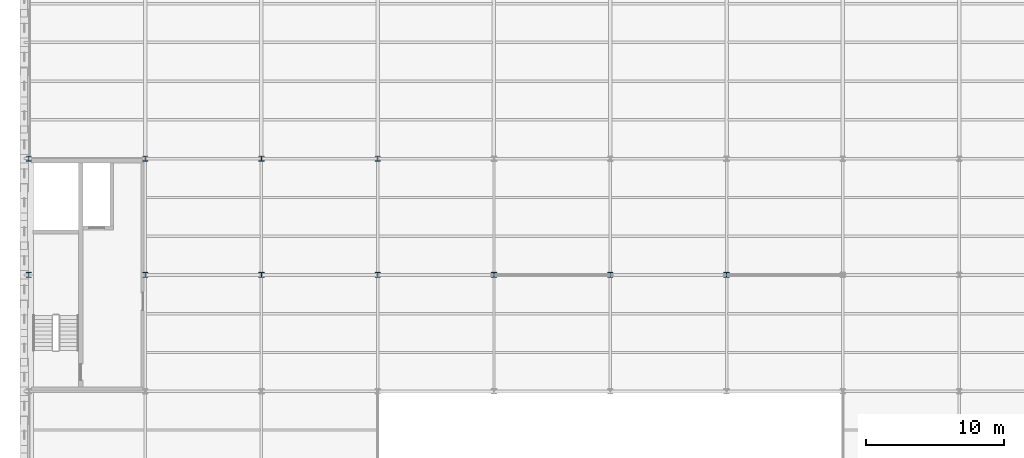
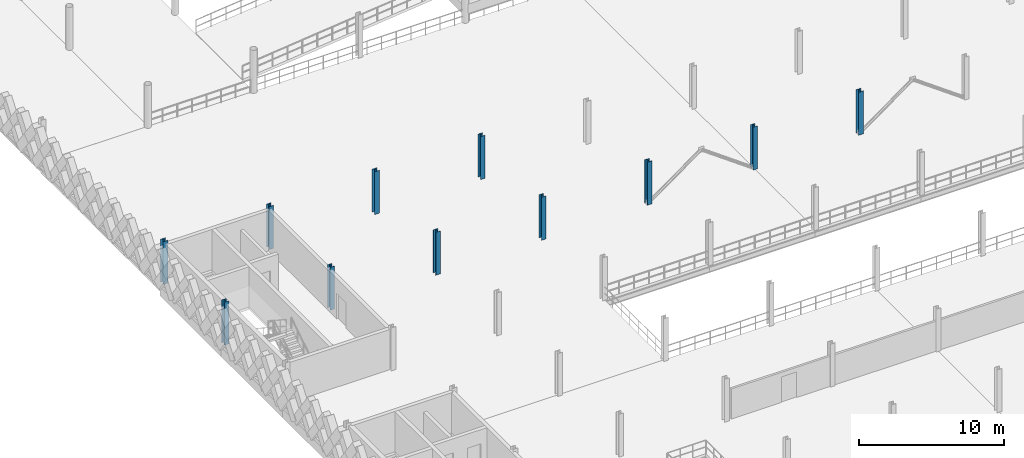
# One storey, part 8 of 74: 11 columns.
"""IFC4 building model written with IfcOpenShell, lengths in metres."""

from ifc_helpers import new_model, si_unit, direction, frame, origin, origin_2d, place, context, subcontext, project, spatial, i_section, extrude, material, material_profile, profile_set, type_object, element, save


model = new_model("IFC4")

# Units and contexts
model_context = context("Model", 3, precision=1e-05, world=origin(), true_north=direction((0.0, 1.0)))
body_context = subcontext(model_context, "Body", "Model", "MODEL_VIEW")
ifc_project = project(units=[si_unit("LENGTHUNIT", "METRE"), si_unit("AREAUNIT", "SQUARE_METRE"), si_unit("VOLUMEUNIT", "CUBIC_METRE"), si_unit("PLANEANGLEUNIT", "RADIAN"), si_unit("MASSUNIT", "GRAM", prefix="KILO"), si_unit("THERMODYNAMICTEMPERATUREUNIT", "KELVIN"), si_unit("POWERUNIT", "WATT")], contexts=[model_context])

# Site, building, storey
site_placement = place(None, origin())
site = spatial("IfcSite", under=ifc_project, at=site_placement, CompositionType="ELEMENT")
building_placement = place(site_placement, origin())
building = spatial("IfcBuilding", under=site, at=building_placement, Name="Tembeka Court Mobility Hub", CompositionType="ELEMENT")
storey_placement = place(building_placement, frame((0.0, 0.0, 12.60009765625)))
storey = spatial("IfcBuildingStorey", under=building, at=storey_placement, Name="L03", CompositionType="ELEMENT", Elevation=12.60009765625)

# Columns
ifc_material = material(Name="Steel S355", Category="steel")
ifc_material_profile = material_profile(ifc_material, i_section(OverallWidth=0.373046875, OverallDepth=0.367919921875, WebThickness=0.014404296875, FlangeThickness=0.023681640625, FilletRadius=0.01513671875, at=origin_2d()), Name="UKC 356x368x177")
ifc_profile_set = profile_set([ifc_material_profile], Name="Steel S355")
column_type = type_object("IfcColumnType", Name="COL-C03", PredefinedType="COLUMN", material=ifc_profile_set)
for number, where, z_axis, x_axis, name in (
    (1, (0.0, 72.0, 0.0), (0.0, 0.0, 1.0), (1.0, 0.0, 0.0), "Column C03 (L03-008)"),
    (2, (0.0, 80.39990234375, 0.0), (0.0, 0.0, 1.0), (1.0, 0.0, 0.0), "Column C03 (L03-009)"),
    (3, (8.39990234375, 72.0, 0.0), (0.0, 0.0, 1.0), (1.0, 0.0, 0.0), "Column C03 (L03-020)"),
    (4, (8.39990234375, 80.39990234375, 0.0), (0.0, 0.0, 1.0), (1.0, 0.0, 0.0), "Column C03 (L03-021)"),
    (5, (16.800048828125, 72.0, 0.0), (0.0, 0.0, 1.0), (1.0, 0.0, 0.0), "Column C03 (L03-032)"),
    (6, (16.800048828125, 80.39990234375, 0.0), (0.0, 0.0, 1.0), (1.0, 0.0, 0.0), "Column C03 (L03-033)"),
    (7, (25.199951171875, 72.0, 0.0), (0.0, 0.0, 1.0), (1.0, 0.0, 0.0), "Column C03 (L03-043)"),
    (8, (25.199951171875, 80.39990234375, 0.0), (0.0, 0.0, 1.0), (1.0, 0.0, 0.0), "Column C03 (L03-044)"),
    (9, (33.60009765625, 72.0, 0.0), (0.0, 0.0, 1.0), (1.0, 0.0, 0.0), "Column C03 (L03-054)"),
    (10, (42.0, 72.0, 0.0), (0.0, 0.0, 1.0), (1.0, 0.0, 0.0), "Column C03 (L03-066)"),
    (11, (50.39990234375, 72.0, 0.0), (0.0, 0.0, 1.0), (1.0, 0.0, 0.0), "Column C03 (L03-078)"),
):
    element("IfcColumn", number, at=place(storey_placement, frame(where, z_axis=z_axis, x_axis=x_axis)), inside=storey, type_object=column_type, Name=name, PredefinedType="COLUMN", context=body_context, shape_type="SweptSolid", body=[
        extrude(i_section(OverallWidth=0.373046875, OverallDepth=0.367919921875, WebThickness=0.014404296875, FlangeThickness=0.023681640625, FilletRadius=0.01513671875, at=origin_2d()), origin(), (0.0, 0.0, 1.0), 3.599853515625),
    ])

save(model, "model.ifc")
